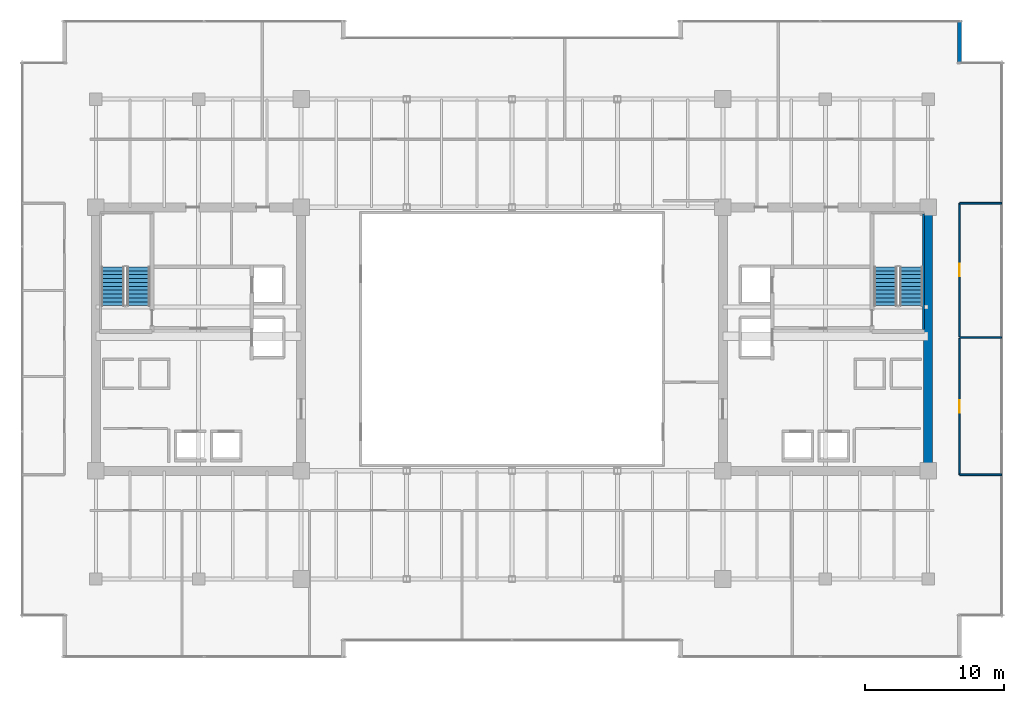
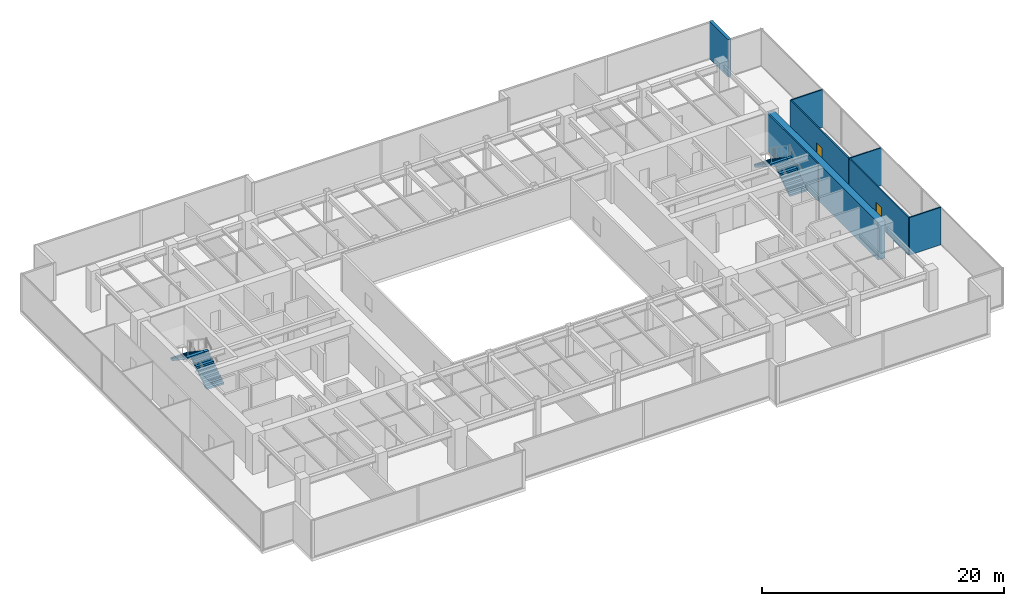
# One storey, part 28 of 30: 8 walls, 4 stair flights, 2 doors, 2 openings, 2 elements without a shape of their own.
"""IFC4 building model written with IfcOpenShell, lengths in metres."""

from ifc_helpers import new_model, si_unit, direction, frame, frame_2d, origin, place, context, subcontext, project, spatial, polyline, rectangle, outline, extrude, source, transform, mapped, material, layer, layer_set, type_object, type_shapes, element, fill, aggregate, save


model = new_model("IFC4")

# Units and contexts
model_context = context("Model", 3, precision=1e-05, world=origin(), true_north=direction((0.0, 1.0)))
body_context = subcontext(model_context, "Body", "Model", "MODEL_VIEW")
ifc_project = project(units=[si_unit("LENGTHUNIT", "METRE"), si_unit("AREAUNIT", "SQUARE_METRE"), si_unit("VOLUMEUNIT", "CUBIC_METRE"), si_unit("PLANEANGLEUNIT", "RADIAN"), si_unit("MASSUNIT", "GRAM", prefix="KILO")], contexts=[model_context])

# Site, building, storey
site_placement = place(None, origin())
site = spatial("IfcSite", under=ifc_project, at=site_placement, CompositionType="ELEMENT")
building_placement = place(site_placement, origin())
building = spatial("IfcBuilding", under=site, at=building_placement, Name="Haelvirn Gate Laboratories", CompositionType="ELEMENT")
storey_placement = place(building_placement, frame((0.0, 0.0, 162.5)))
storey = spatial("IfcBuildingStorey", under=building, at=storey_placement, Name="L39", CompositionType="ELEMENT", Elevation=162.5)

# Walls
ifc_material_1 = material(Name="Thermally-broken bronze aluminium rainscreen & mineral wool", Category="aluminium")
ifc_layer_1 = layer(ifc_material_1, 0.280029296875, Name="EW-TERR-280")
ifc_layer_set_1 = layer_set([ifc_layer_1], Name="Thermally-broken bronze aluminium rainscreen & mineral wool")
wall_type_1 = type_object("IfcWallType", Name="EW-TERR-280", PredefinedType="STANDARD", material=ifc_layer_set_1)
wall_1_placement = place(storey_placement, frame((69.659912109375, 44.2119140625, 0.0), z_axis=(0.0, 0.0, 1.0), x_axis=(0.0, 1.0, 0.0)))
element("IfcWall", 1, at=wall_1_placement, inside=storey, type_object=wall_type_1, Name="L39 Atrium Recess Bronze Return Wall 09", PredefinedType="STANDARD", context=body_context, shape_type="SweptSolid", body=[
    extrude(rectangle(XDim=3.088134765625, YDim=0.280029296875, at=frame_2d((1.5439453125, 0.0))), origin(), (0.0, 0.0, 1.0), 3.7900390625),
])
ifc_material_2 = material(Name="Lightweight acoustic gypsum board partition", Category="gypsum")
ifc_layer_2 = layer(ifc_material_2, 0.1201171875, Name="IW-PART-120")
ifc_layer_set_2 = layer_set([ifc_layer_2], Name="Lightweight acoustic gypsum board partition")
wall_type_2 = type_object("IfcWallType", Name="IW-PART-120", PredefinedType="PARTITIONING", material=ifc_layer_set_2)
for number, where, z_axis, x_axis, name in (
    (2, (69.669921875, 14.514892578125, 0.0), (0.0, 0.0, 1.0), (1.0, 0.0, 0.0), "L39 Interior Wall IW-L39-ECAP-S"),
    (3, (69.669921875, 34.0849609375, 0.0), (0.0, 0.0, 1.0), (1.0, 0.0, 0.0), "L39 Interior Wall IW-L39-ECAP-N"),
):
    element("IfcWall", number, at=place(storey_placement, frame(where, z_axis=z_axis, x_axis=x_axis)), inside=storey, type_object=wall_type_2, Name=name, PredefinedType="PARTITIONING", context=body_context, shape_type="SweptSolid", body=[
        extrude(rectangle(XDim=3.02001953125, YDim=0.1201171875, at=frame_2d((1.510009765625, 0.0))), origin(), (0.0, 0.0, 1.0), 3.7900390625),
    ])

# Wall, opening, door
wall_2_placement = place(storey_placement, frame((69.669921875, 14.514892578125, 0.0), z_axis=(0.0, 0.0, 1.0), x_axis=(0.0, 1.0, 0.0)))
wall_2 = element("IfcWall", 4, at=wall_2_placement, inside=storey, type_object=wall_type_2, Name="L39 Interior Wall IW-L39-EPASS-01", PredefinedType="PARTITIONING", context=body_context, shape_type="SweptSolid", body=[
    extrude(rectangle(XDim=9.8251953125, YDim=0.1201171875, at=frame_2d((4.91259765625, 0.0))), origin(), (0.0, 0.0, 1.0), 3.7900390625),
])
opening_1_placement = place(wall_2_placement, frame((4.46240234375, 0.0, 0.0)))
opening_1 = element("IfcOpeningElement", 5, at=opening_1_placement, cuts=wall_2, Name="Opening D4", PredefinedType="OPENING", context=body_context, shape_type="SweptSolid", body=[
    extrude(rectangle(XDim=0.89990234375, YDim=2.10009765625, at=frame_2d((0.449951171875, 1.050048828125))), frame((0.0, 0.070068359375, 0.0), z_axis=(0.0, -1.0, 0.0), x_axis=(1.0, 0.0, 0.0)), (0.0, 0.0, 1.0), 0.14013671875),
])
ifc_material_3 = material(Name="Glazed aluminium-framed write-up door", Category="aluminium")
door_type = type_object("IfcDoorType", Name="DR-OFF-900", OperationType="NOTDEFINED", PredefinedType="DOOR", material=ifc_material_3)
shared_shape_1 = source(origin(), body_context, "Body", "SweptSolid", [
    extrude(rectangle(XDim=0.89990234375, YDim=2.10009765625, at=frame_2d((0.449951171875, 1.050048828125))), frame((0.0, 0.02490234375, 0.0), z_axis=(0.0, -1.0, 0.0), x_axis=(1.0, 0.0, 0.0)), (0.0, 0.0, 1.0), 0.050048828125),
])
type_shapes(door_type, [shared_shape_1])
door_1_placement = place(opening_1_placement, origin())
door_1 = element("IfcDoor", 6, at=door_1_placement, inside=storey, type_object=door_type, Name="L39 Occupational Biosafety Clinic Door E1", OperationType="SINGLE_SWING_LEFT", OverallHeight=2.10009765625, OverallWidth=0.89990234375, PredefinedType="DOOR", context=body_context, shape_type="MappedRepresentation", body=[
    mapped(shared_shape_1, transform((0.0, 0.0, 0.0), scale=1.0)),
])
fill(opening_1, door_1)

# Wall
wall_3_placement = place(storey_placement, frame((69.669921875, 24.39990234375, 0.0), z_axis=(0.0, 0.0, 1.0), x_axis=(1.0, 0.0, 0.0)))
element("IfcWall", 7, at=wall_3_placement, inside=storey, type_object=wall_type_2, Name="L39 Interior Wall IW-L39-EDIV-01", PredefinedType="PARTITIONING", context=body_context, shape_type="SweptSolid", body=[
    extrude(rectangle(XDim=3.02001953125, YDim=0.1201171875, at=frame_2d((1.510009765625, 0.0))), origin(), (0.0, 0.0, 1.0), 3.7900390625),
])

# Wall, opening, door
wall_4_placement = place(storey_placement, frame((69.669921875, 24.4599609375, 0.0), z_axis=(0.0, 0.0, 1.0), x_axis=(0.0, 1.0, 0.0)))
wall_4 = element("IfcWall", 8, at=wall_4_placement, inside=storey, type_object=wall_type_2, Name="L39 Interior Wall IW-L39-EPASS-02", PredefinedType="PARTITIONING", context=body_context, shape_type="SweptSolid", body=[
    extrude(rectangle(XDim=9.625, YDim=0.1201171875, at=frame_2d((4.8125, 0.0))), origin(), (0.0, 0.0, 1.0), 3.7900390625),
])
opening_2_placement = place(wall_4_placement, frame((4.362548828125, 0.0, 0.0)))
opening_2 = element("IfcOpeningElement", 9, at=opening_2_placement, cuts=wall_4, Name="Opening D4", PredefinedType="OPENING", context=body_context, shape_type="SweptSolid", body=[
    extrude(rectangle(XDim=0.89990234375, YDim=2.10009765625, at=frame_2d((0.449951171875, 1.050048828125))), frame((0.0, 0.070068359375, 0.0), z_axis=(0.0, -1.0, 0.0), x_axis=(1.0, 0.0, 0.0)), (0.0, 0.0, 1.0), 0.14013671875),
])
door_2_placement = place(opening_2_placement, origin())
door_2 = element("IfcDoor", 10, at=door_2_placement, inside=storey, type_object=door_type, Name="L39 Bioprocess Foundry Laboratory Door E2", OperationType="SINGLE_SWING_RIGHT", OverallHeight=2.10009765625, OverallWidth=0.89990234375, PredefinedType="DOOR", context=body_context, shape_type="MappedRepresentation", body=[
    mapped(shared_shape_1, transform((0.0, 0.0, 0.0), scale=1.0)),
])
fill(opening_2, door_2)

# Walls
ifc_material_4 = material(Name="Concrete C60/75", Category="concrete")
ifc_layer_3 = layer(ifc_material_4, 0.64990234375, Name="SW-CORE-650")
ifc_layer_set_3 = layer_set([ifc_layer_3], Name="Concrete C60/75")
wall_type_3 = type_object("IfcWallType", Name="SW-CORE-650", PredefinedType="SHEAR", material=ifc_layer_set_3)
wall_5_placement = place(storey_placement, frame((67.39990234375, 15.125, 0.0), z_axis=(0.0, 0.0, 1.0), x_axis=(0.0, 1.0, 0.0)))
element("IfcWall", 11, at=wall_5_placement, inside=storey, type_object=wall_type_3, Name="L39 E Core Shear Wall E", PredefinedType="SHEAR", context=body_context, shape_type="SweptSolid", body=[
    extrude(rectangle(XDim=18.35009765625, YDim=0.64990234375, at=frame_2d((9.175048828125, 0.0))), origin(), (0.0, 0.0, 1.0), 3.7900390625),
])
ifc_material_5 = material(Name="Concrete C50/60", Category="concrete")
ifc_layer_4 = layer(ifc_material_5, 0.1201171875, Name="SW-LINER-120")
ifc_layer_set_4 = layer_set([ifc_layer_4], Name="Concrete C50/60")
wall_type_4 = type_object("IfcWallType", Name="SW-LINER-120", PredefinedType="SOLIDWALL", material=ifc_layer_set_4)
wall_6_placement = place(storey_placement, frame((67.070068359375, 25.0, 0.0), z_axis=(0.0, 0.0, 1.0), x_axis=(0.0, 1.0, 0.0)))
element("IfcWall", 12, at=wall_6_placement, inside=storey, type_object=wall_type_4, Name="L39 E Core Stair Shaft Liner Wall OUT", PredefinedType="SOLIDWALL", context=body_context, shape_type="SweptSolid", body=[
    extrude(rectangle(XDim=8.320068359375, YDim=0.1201171875, at=frame_2d((4.16015625, 0.0))), origin(), (0.0, 0.0, 1.0), 3.7900390625),
])

# Stair, stair flights
ifc_material_6 = material(Name="Concrete C40/50", Category="concrete")
stair_type = type_object("IfcStairType", Name="ST-DOG-1650-R22", PredefinedType="HALF_TURN_STAIR", material=ifc_material_6)
stair_1_placement = place(storey_placement, origin())
stair_1 = element("IfcStair", 13, at=stair_1_placement, inside=storey, type_object=stair_type, Name="L39 Escape Stair ST1", PredefinedType="HALF_TURN_STAIR")
stair_flight_type = type_object("IfcStairFlightType", Name="STF-1650-R11", PredefinedType="STRAIGHT", material=ifc_material_6)
shared_shape_2 = source(origin(), body_context, "Body", "SweptSolid", [
    extrude(outline(polyline([(0.0, 0.0), (0.0, 0.186279296875), (0.280029296875, 0.186279296875), (0.280029296875, 0.372802734375), (0.56005859375, 0.372802734375), (0.56005859375, 0.55908203125), (0.840087890625, 0.55908203125), (0.840087890625, 0.745361328125), (1.1201171875, 0.745361328125), (1.1201171875, 0.931884765625), (1.39990234375, 0.931884765625), (1.39990234375, 1.1181640625), (1.679931640625, 1.1181640625), (1.679931640625, 1.304443359375), (1.9599609375, 1.304443359375), (1.9599609375, 1.490966796875), (2.239990234375, 1.490966796875), (2.239990234375, 1.67724609375), (2.52001953125, 1.67724609375), (2.52001953125, 1.863525390625), (2.800048828125, 1.863525390625), (2.800048828125, 2.050048828125), (2.800048828125, 1.671630859375), (0.28857421875, 0.0), (0.0, 0.0)])), frame((0.0, 0.824951171875, 0.0), z_axis=(0.0, -1.0, 0.0), x_axis=(1.0, 0.0, 0.0)), (0.0, 0.0, 1.0), 1.64990234375),
])
type_shapes(stair_flight_type, [shared_shape_2])
stair_flight_1_placement = place(storey_placement, frame((10.47509765625, 26.699951171875, 0.0), z_axis=(0.0, 0.0, 1.0), x_axis=(0.0, 1.0, 0.0)))
stair_flight_1 = element("IfcStairFlight", 14, at=stair_flight_1_placement, type_object=stair_flight_type, Name="ST1 flight 1", NumberOfRisers=11, NumberOfTreads=10, PredefinedType="STRAIGHT", RiserHeight=0.186363636, TreadLength=0.28, context=body_context, shape_type="MappedRepresentation", body=[
    mapped(shared_shape_2, transform((0.0, 0.0, 0.0), scale=1.0)),
])
stair_flight_2_placement = place(storey_placement, frame((8.625, 29.5, 2.050048828125), z_axis=(0.0, 0.0, 1.0), x_axis=(0.0, -1.0, 0.0)))
stair_flight_2 = element("IfcStairFlight", 15, at=stair_flight_2_placement, type_object=stair_flight_type, Name="ST1 flight 2", NumberOfRisers=11, NumberOfTreads=10, PredefinedType="STRAIGHT", RiserHeight=0.186363636, TreadLength=0.28, context=body_context, shape_type="MappedRepresentation", body=[
    mapped(shared_shape_2, transform((0.0, 0.0, 0.0), scale=1.0)),
])
aggregate(stair_1, [stair_flight_1, stair_flight_2])

stair_2_placement = place(storey_placement, origin())
stair_2 = element("IfcStair", 16, at=stair_2_placement, inside=storey, type_object=stair_type, Name="L39 Escape Stair ST2", PredefinedType="HALF_TURN_STAIR")
stair_flight_3_placement = place(storey_placement, frame((66.175048828125, 26.699951171875, 0.0), z_axis=(0.0, 0.0, 1.0), x_axis=(0.0, 1.0, 0.0)))
stair_flight_3 = element("IfcStairFlight", 17, at=stair_flight_3_placement, type_object=stair_flight_type, Name="ST2 flight 1", NumberOfRisers=11, NumberOfTreads=10, PredefinedType="STRAIGHT", RiserHeight=0.186363636, TreadLength=0.28, context=body_context, shape_type="MappedRepresentation", body=[
    mapped(shared_shape_2, transform((0.0, 0.0, 0.0), scale=1.0)),
])
stair_flight_4_placement = place(storey_placement, frame((64.324951171875, 29.5, 2.050048828125), z_axis=(0.0, 0.0, 1.0), x_axis=(0.0, -1.0, 0.0)))
stair_flight_4 = element("IfcStairFlight", 18, at=stair_flight_4_placement, type_object=stair_flight_type, Name="ST2 flight 2", NumberOfRisers=11, NumberOfTreads=10, PredefinedType="STRAIGHT", RiserHeight=0.186363636, TreadLength=0.28, context=body_context, shape_type="MappedRepresentation", body=[
    mapped(shared_shape_2, transform((0.0, 0.0, 0.0), scale=1.0)),
])
aggregate(stair_2, [stair_flight_3, stair_flight_4])

save(model, "model.ifc")
